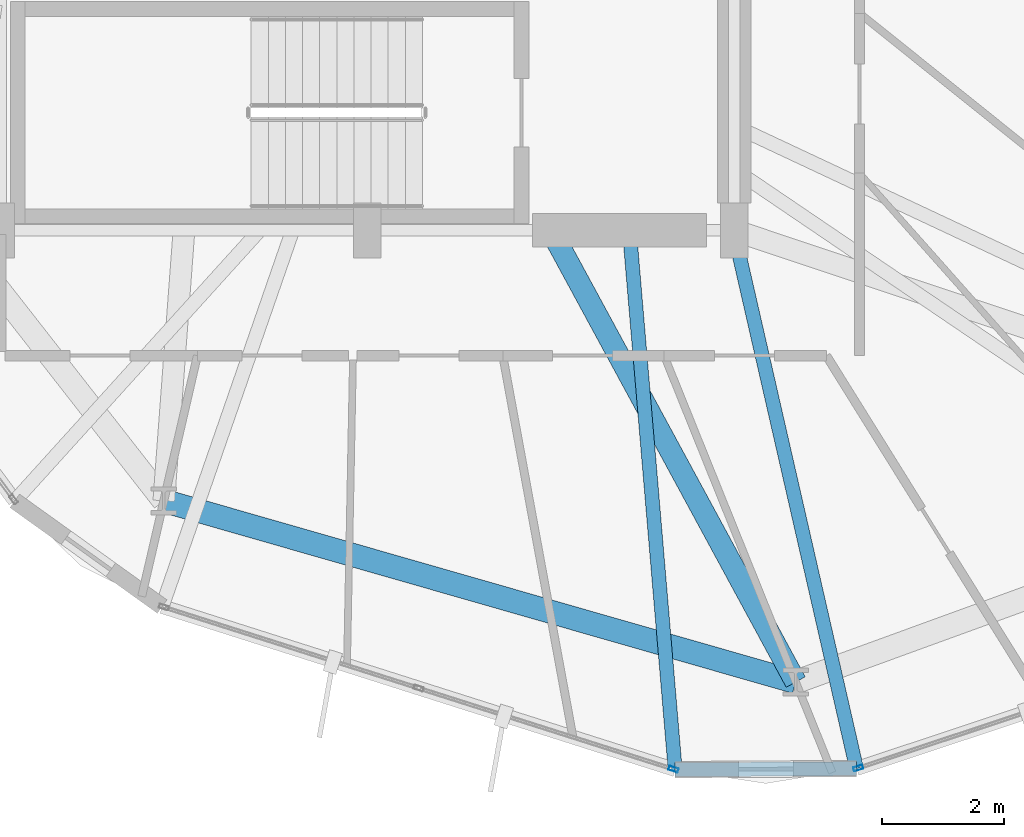
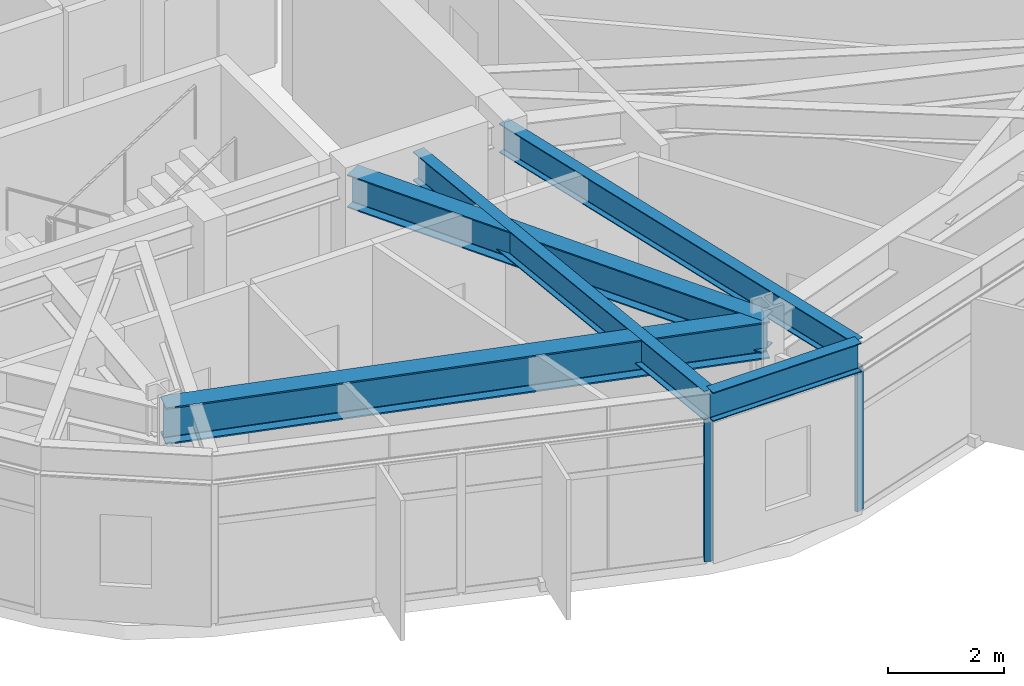
# One storey, part 5 of 27: 5 beams, 2 members, 2 elements without a shape of their own.
"""IFC4 building model written with IfcOpenShell, lengths in metres."""

import ifcopenshell
import ifcopenshell.guid

model = None  # the IFC model being written
_history = None  # IfcOwnerHistory: only IFC2X3 demands one
_inside = {}  # id of a spatial element -> (the spatial element, [elements in it])
_under = {}  # id of a project, library or spatial element -> (it, [spatial elements below it])
_declared = {}  # id of a project -> (the project, [libraries it declares])
_typed = {}  # id of a type object -> (the type object, [elements of that type])
_made_of = {}  # id of a material, layer set ... -> (it, [elements and type objects made of it])


def new_model(schema):
    """Start an empty IFC model of exactly this schema.

    Asked for "IFC4X3", IfcOpenShell would pick the latest addendum, in which some entities
    have other attributes; the version numbers below select the first issue.
    IFC2X3 requires an IfcOwnerHistory on every rooted entity: one is made here for all.
    """
    global model, _history
    if schema == "IFC4X3":
        model = ifcopenshell.file(schema_version=(4, 3, 0, 0))
    else:
        model = ifcopenshell.file(schema=schema)
    _inside.clear()
    _under.clear()
    _declared.clear()
    _typed.clear()
    _made_of.clear()
    _history = None
    if model.schema == "IFC2X3":
        org = make("IfcOrganization", Name="unknown")
        user = make(
            "IfcPersonAndOrganization",
            ThePerson=make("IfcPerson", FamilyName="unknown"),
            TheOrganization=org,
        )
        app = make(
            "IfcApplication",
            ApplicationDeveloper=org,
            Version="unknown",
            ApplicationFullName="unknown",
            ApplicationIdentifier="unknown",
        )
        _history = make(
            "IfcOwnerHistory",
            OwningUser=user,
            OwningApplication=app,
            ChangeAction="ADDED",
            CreationDate=0,
        )
    return model


def make(cls, **values):
    """One entity of the class cls with the attributes given. An attribute that is None is left unset."""
    return model.create_entity(
        cls, **{name: value for name, value in values.items() if value is not None}
    )


def rooted(cls, **values):
    """An entity with a GlobalId (a new one), such as an element, a storey or a relation."""
    return make(cls, GlobalId=ifcopenshell.guid.new(), OwnerHistory=_history, **values)


def si_unit(unit_type, name, prefix=None):
    """IfcSIUnit, for example si_unit("LENGTHUNIT", "METRE", prefix="MILLI")."""
    return make("IfcSIUnit", UnitType=unit_type, Prefix=prefix, Name=name)


def assignment(units):
    """IfcUnitAssignment: the units of a project."""
    return None if units is None else make("IfcUnitAssignment", Units=units)


def point(xyz):
    """IfcCartesianPoint."""
    return None if xyz is None else make("IfcCartesianPoint", Coordinates=xyz)


def direction(xyz):
    """IfcDirection."""
    return None if xyz is None else make("IfcDirection", DirectionRatios=xyz)


def frame(location, z_axis=None, x_axis=None):
    """IfcAxis2Placement3D, a coordinate frame: its origin and axes. An axis left out is left unset."""
    return make(
        "IfcAxis2Placement3D",
        Location=point(location),
        Axis=direction(z_axis),
        RefDirection=direction(x_axis),
    )


def frame_2d(location, x_axis=None):
    """IfcAxis2Placement2D, a coordinate frame in the plane: its origin and x axis."""
    return make(
        "IfcAxis2Placement2D", Location=point(location), RefDirection=direction(x_axis)
    )


def origin():
    """The frame at (0, 0, 0) with its axes left unset."""
    return frame((0.0, 0.0, 0.0))


def origin_2d():
    """The frame at (0, 0) in the plane with its x axis left unset."""
    return frame_2d((0.0, 0.0))


def place(relative_to, where):
    """IfcLocalPlacement: puts the frame where relative to a parent placement (None: the world)."""
    return make(
        "IfcLocalPlacement", PlacementRelTo=relative_to, RelativePlacement=where
    )


def context(
    kind, dimensions, precision=None, world=None, true_north=None, identifier=None
):
    """IfcGeometricRepresentationContext, for example the 3D "Model" context."""
    return make(
        "IfcGeometricRepresentationContext",
        ContextIdentifier=identifier,
        ContextType=kind,
        CoordinateSpaceDimension=dimensions,
        Precision=precision,
        WorldCoordinateSystem=world,
        TrueNorth=true_north,
    )


def subcontext(parent, identifier, kind, view, scale=None):
    """IfcGeometricRepresentationSubContext, for example "Body" below "Model"."""
    return make(
        "IfcGeometricRepresentationSubContext",
        ContextIdentifier=identifier,
        ContextType=kind,
        ParentContext=parent,
        TargetScale=scale,
        TargetView=view,
    )


def project(units=None, contexts=None):
    """IfcProject with its units and contexts."""
    return rooted(
        "IfcProject",
        Name="project",
        RepresentationContexts=contexts,
        UnitsInContext=assignment(units),
    )


def spatial(cls, under=None, at=None, **own):
    """A site, building, storey or space (cls), placed at a placement, below another one or the project."""
    s = rooted(cls, ObjectPlacement=at, **own)
    if under is not None:
        _under.setdefault(under.id(), (under, []))[1].append(s)
    return s


def profile(cls, at=None, kind="AREA", **sizes):
    """A parametric profile (cls). Its sizes go by their IFC names, for example OverallWidth=200.0."""
    return make(cls, ProfileType=kind, Position=at, **sizes)


def hollow_rectangle(**sizes):
    """IfcRectangleHollowProfileDef."""
    return profile("IfcRectangleHollowProfileDef", **sizes)


def i_section(**sizes):
    """IfcIShapeProfileDef."""
    return profile("IfcIShapeProfileDef", **sizes)


def extrude(swept, where, along, depth):
    """IfcExtrudedAreaSolid: the profile swept, set in the frame where, extruded along a direction by depth."""
    return make(
        "IfcExtrudedAreaSolid",
        SweptArea=swept,
        Position=where,
        ExtrudedDirection=direction(along),
        Depth=depth,
    )


def shape(context_of_items, identifier, shape_type, items):
    """IfcShapeRepresentation: the items that make up one representation, for example the "Body"."""
    return make(
        "IfcShapeRepresentation",
        ContextOfItems=context_of_items,
        RepresentationIdentifier=identifier,
        RepresentationType=shape_type,
        Items=items,
    )


def material(Name=None, Category=None):
    """IfcMaterial."""
    return make("IfcMaterial", Name=Name, Category=Category)


def layer(
    of_material, thickness, ventilated=None, Name=None, Category=None, Priority=None
):
    """IfcMaterialLayer: one layer of a wall or slab, of a material (None: an air gap)."""
    return make(
        "IfcMaterialLayer",
        Material=of_material,
        LayerThickness=thickness,
        IsVentilated=ventilated,
        Name=Name,
        Category=Category,
        Priority=Priority,
    )


def layer_set(layers, Name=None):
    """IfcMaterialLayerSet."""
    return make("IfcMaterialLayerSet", MaterialLayers=layers, LayerSetName=Name)


def material_profile(
    of_material, cross_section, Name=None, Category=None, Priority=None
):
    """IfcMaterialProfile: a cross section and its material."""
    return make(
        "IfcMaterialProfile",
        Name=Name,
        Material=of_material,
        Profile=cross_section,
        Priority=Priority,
        Category=Category,
    )


def profile_set(profiles, Name=None, composite=None):
    """IfcMaterialProfileSet."""
    return make(
        "IfcMaterialProfileSet",
        Name=Name,
        MaterialProfiles=profiles,
        CompositeProfile=composite,
    )


def made_of(thing, what):
    """Note that an element or type object is made of a material, layer set ...; save() writes the relation."""
    if what is not None:
        _made_of.setdefault(what.id(), (what, []))[1].append(thing)
    return thing


def type_object(cls, material=None, **own):
    """A type object (cls), such as IfcWallType, which elements share."""
    return made_of(rooted(cls, **own), material)


def element(
    cls,
    number,
    at=None,
    inside=None,
    cuts=None,
    type_object=None,
    material=None,
    context=None,
    identifier="Body",
    shape_type=None,
    held_by="IfcProductDefinitionShape",
    body=None,
    shapes=None,
    **own,
):
    """One element of the class cls, such as IfcWall. Its Tag is "e" and its number.

    at: its placement. inside: the storey or other place that contains it. cuts: it is an
    opening in that element (IfcRelVoidsElement). A single representation is given by context,
    identifier, shape_type and body (its items); several are given by shapes. held_by: the class
    of the entity that holds the representations. save() writes the other relations.
    """
    e = rooted(cls, Tag="e%d" % number, ObjectPlacement=at, **own)
    if body is not None:
        shapes = [shape(context, identifier, shape_type, body)]
    if shapes is not None:
        e.Representation = make(held_by, Representations=shapes)
    if inside is not None:
        _inside.setdefault(inside.id(), (inside, []))[1].append(e)
    if cuts is not None:
        rooted(
            "IfcRelVoidsElement", RelatingBuildingElement=cuts, RelatedOpeningElement=e
        )
    if type_object is not None:
        _typed.setdefault(type_object.id(), (type_object, []))[1].append(e)
    return made_of(e, material)


def aggregate(whole, parts):
    """IfcRelAggregates: a whole, such as a stair, and the parts it consists of."""
    return rooted("IfcRelAggregates", RelatingObject=whole, RelatedObjects=parts)


def save(model, path):
    """Write the relations noted so far, then the file.

    IfcRelAggregates (storeys below a building ...), IfcRelContainedInSpatialStructure (elements
    in a storey), IfcRelDefinesByType, IfcRelAssociatesMaterial and IfcRelDeclares: one each for
    every whole, place, type object, material and project.
    """
    for whole, parts in _under.values():
        aggregate(whole, parts)
    for where, things in _inside.values():
        rooted(
            "IfcRelContainedInSpatialStructure",
            RelatedElements=things,
            RelatingStructure=where,
        )
    for kind, things in _typed.values():
        rooted("IfcRelDefinesByType", RelatedObjects=things, RelatingType=kind)
    for what, things in _made_of.values():
        rooted("IfcRelAssociatesMaterial", RelatedObjects=things, RelatingMaterial=what)
    for by, libraries in _declared.values():
        rooted("IfcRelDeclares", RelatingContext=by, RelatedDefinitions=libraries)
    model.write(path)


model = new_model("IFC4")

# Units and contexts
model_context = context("Model", 3, precision=1e-05, world=origin(), true_north=direction((0.0, 1.0)))
body_context = subcontext(model_context, "Body", "Model", "MODEL_VIEW")
ifc_project = project(units=[si_unit("LENGTHUNIT", "METRE"), si_unit("AREAUNIT", "SQUARE_METRE"), si_unit("VOLUMEUNIT", "CUBIC_METRE"), si_unit("PLANEANGLEUNIT", "RADIAN"), si_unit("MASSUNIT", "GRAM", prefix="KILO")], contexts=[model_context])

# Site, building, storey
site_placement = place(None, origin())
site = spatial("IfcSite", under=ifc_project, at=site_placement, CompositionType="ELEMENT")
building_placement = place(site_placement, origin())
building = spatial("IfcBuilding", under=site, at=building_placement, Name="Soratama Intermodal Tower", CompositionType="ELEMENT")
storey_placement = place(building_placement, frame((0.0, 0.0, 99.10009765625)))
storey = spatial("IfcBuildingStorey", under=building, at=storey_placement, Name="L23", CompositionType="ELEMENT", Elevation=99.10009765625)

# Beams
ifc_material_1 = material(Name="Structural steel ASTM A992 Grade 50", Category="steel")
ifc_material_profile_1 = material_profile(ifc_material_1, i_section(OverallWidth=0.35498046875, OverallDepth=0.695068359375, WebThickness=0.015380859375, FlangeThickness=0.02490234375, FilletRadius=0.01611328125, at=origin_2d()), Name="W27X146")
ifc_profile_set_1 = profile_set([ifc_material_profile_1], Name="Structural steel ASTM A992 Grade 50")
beam_type_1 = type_object("IfcBeamType", Name="BM-RING-W27X146", PredefinedType="BEAM", material=ifc_profile_set_1)
beam_1_placement = place(storey_placement, frame((41.60009765625, 15.0, 3.25244140625), z_axis=(0.476697610532, -0.879067339919, 0.0), x_axis=(0.879067339919, 0.476697610532, 0.0)))
element("IfcBeam", 1, at=beam_1_placement, inside=storey, type_object=beam_type_1, Name="BM-L23-RAD-08", PredefinedType="BEAM", context=body_context, shape_type="SweptSolid", body=[
    extrude(i_section(OverallWidth=0.35498046875, OverallDepth=0.695068359375, WebThickness=0.015380859375, FlangeThickness=0.02490234375, FilletRadius=0.01611328125, at=origin_2d()), origin(), (0.0, 0.0, 1.0), 8.405517578125),
])
ifc_material_2 = material(Name="Structural steel ASTM A992 Grade 50", Category="steel")
ifc_material_profile_2 = material_profile(ifc_material_2, i_section(OverallWidth=0.382080078125, OverallDepth=0.779052734375, WebThickness=0.01806640625, FlangeThickness=0.030029296875, FilletRadius=0.01806640625, at=origin_2d()), Name="W30X191")
ifc_profile_set_2 = profile_set([ifc_material_profile_2], Name="Structural steel ASTM A992 Grade 50")
beam_type_2 = type_object("IfcBeamType", Name="BM-RING-W30X191", PredefinedType="BEAM", material=ifc_profile_set_2)
beam_2_placement = place(storey_placement, frame((35.27001953125, 10.574951171875, 3.21044921875), z_axis=(0.961266505995, -0.275620580604, 0.0), x_axis=(0.275620580604, 0.961266505995, 0.0)))
element("IfcBeam", 2, at=beam_2_placement, inside=storey, type_object=beam_type_2, Name="BM-L23-RING-07", PredefinedType="BEAM", context=body_context, shape_type="SweptSolid", body=[
    extrude(i_section(OverallWidth=0.382080078125, OverallDepth=0.779052734375, WebThickness=0.01806640625, FlangeThickness=0.030029296875, FilletRadius=0.01806640625, at=origin_2d()), origin(), (0.0, 0.0, 1.0), 10.75341796875),
])
ifc_material_3 = material(Name="Structural steel ASTM A992 Grade 50", Category="steel")
ifc_material_profile_3 = material_profile(ifc_material_3, i_section(OverallWidth=0.22900390625, OverallDepth=0.612060546875, WebThickness=0.011962890625, FlangeThickness=0.01953125, FilletRadius=0.012939453125, at=origin_2d()), Name="W24X84")
ifc_profile_set_3 = profile_set([ifc_material_profile_3], Name="Structural steel ASTM A992 Grade 50")
beam_type_3 = type_object("IfcBeamType", Name="BM-SPN-W24X84", PredefinedType="SPANDREL", material=ifc_profile_set_3)
beam_3_placement = place(storey_placement, frame((43.635009765625, 6.177001953125, 3.2939453125), z_axis=(0.999981462363, 0.006088918639, 0.0), x_axis=(-0.006088918639, 0.999981462363, 0.0)))
element("IfcBeam", 3, at=beam_3_placement, inside=storey, type_object=beam_type_3, Name="BS-L23-CRN07", PredefinedType="SPANDREL", context=body_context, shape_type="SweptSolid", body=[
    extrude(i_section(OverallWidth=0.22900390625, OverallDepth=0.612060546875, WebThickness=0.011962890625, FlangeThickness=0.01953125, FilletRadius=0.012939453125, at=origin_2d()), origin(), (0.0, 0.0, 1.0), 2.967041015625),
])
ifc_material_4 = material(Name="Structural steel ASTM A992 Grade 50", Category="steel")
ifc_material_profile_4 = material_profile(ifc_material_4, i_section(OverallWidth=0.22900390625, OverallDepth=0.612060546875, WebThickness=0.011962890625, FlangeThickness=0.01953125, FilletRadius=0.012939453125, at=origin_2d()), Name="W24X84")
ifc_profile_set_4 = profile_set([ifc_material_profile_4], Name="Structural steel ASTM A992 Grade 50")
beam_type_4 = type_object("IfcBeamType", Name="BM-TIE-W24X84", PredefinedType="BEAM", material=ifc_profile_set_4)
beam_4_placement = place(storey_placement, frame((42.888916015625, 14.9599609375, 3.2939453125), z_axis=(0.084643031359, -0.996411339379, 0.0), x_axis=(0.996411339379, 0.084643031359, 0.0)))
element("IfcBeam", 4, at=beam_4_placement, inside=storey, type_object=beam_type_4, Name="BM-L23-TIE1-07", PredefinedType="BEAM", context=body_context, shape_type="SweptSolid", body=[
    extrude(i_section(OverallWidth=0.22900390625, OverallDepth=0.612060546875, WebThickness=0.011962890625, FlangeThickness=0.01953125, FilletRadius=0.012939453125, at=origin_2d()), origin(), (0.0, 0.0, 1.0), 8.814697265625),
])
beam_5_placement = place(storey_placement, frame((44.59912109375, 14.9609375, 3.2939453125), z_axis=(0.222751076798, -0.974875355, 0.0), x_axis=(0.974875355, 0.222751076798, 0.0)))
element("IfcBeam", 5, at=beam_5_placement, inside=storey, type_object=beam_type_4, Name="BM-L23-TIE0-08", PredefinedType="BEAM", context=body_context, shape_type="SweptSolid", body=[
    extrude(i_section(OverallWidth=0.22900390625, OverallDepth=0.612060546875, WebThickness=0.011962890625, FlangeThickness=0.01953125, FilletRadius=0.012939453125, at=origin_2d()), origin(), (0.0, 0.0, 1.0), 8.99169921875),
])

# Curtain wall, member
ifc_material_5 = material(Name="Double-glazed aluminium curtain wall", Category="aluminium")
ifc_layer = layer(ifc_material_5, 0.159912109375)
ifc_layer_set = layer_set([ifc_layer], Name="Double-glazed aluminium curtain wall")
curtain_wall_type = type_object("IfcCurtainWallType", Name="CW-SYS-3", PredefinedType="NOTDEFINED", material=ifc_layer_set)
curtain_wall_1_placement = place(storey_placement, origin())
curtain_wall_1 = element("IfcCurtainWall", 6, at=curtain_wall_1_placement, inside=storey, type_object=curtain_wall_type, Name="L23 Faceted Curtain Wall F07", PredefinedType="NOTDEFINED")
ifc_material_6 = material(Name="Anodised aluminium AA 6063-T6", Category="aluminium")
ifc_material_profile_5 = material_profile(ifc_material_6, hollow_rectangle(XDim=0.070068359375, YDim=0.159912109375, WallThickness=0.0048828125, InnerFilletRadius=0.0048828125, OuterFilletRadius=0.010009765625, at=origin_2d()), Name="CWM160X70X5")
ifc_profile_set_5 = profile_set([ifc_material_profile_5], Name="Anodised aluminium AA 6063-T6")
member_type = type_object("IfcMemberType", Name="MT-CWM-3", PredefinedType="MULLION", material=ifc_profile_set_5)
member_1_placement = place(storey_placement, frame((43.6064453125, 6.185791015625, 0.0), z_axis=(0.0, 0.0, 1.0), x_axis=(0.303034454617, 0.952979600681, 0.0)))
member_1 = element("IfcMember", 7, at=member_1_placement, type_object=member_type, Name="CW-3 mullion 3", PredefinedType="MULLION", context=body_context, shape_type="SweptSolid", body=[
    extrude(hollow_rectangle(XDim=0.070068359375, YDim=0.159912109375, WallThickness=0.0048828125, InnerFilletRadius=0.0048828125, OuterFilletRadius=0.010009765625, at=origin_2d()), origin(), (0.0, 0.0, 1.0), 2.97900390625),
])
aggregate(curtain_wall_1, [member_1])

curtain_wall_2_placement = place(storey_placement, origin())
curtain_wall_2 = element("IfcCurtainWall", 8, at=curtain_wall_2_placement, inside=storey, type_object=curtain_wall_type, Name="L23 Faceted Curtain Wall F08", PredefinedType="NOTDEFINED")
member_2_placement = place(storey_placement, frame((46.6298828125, 6.204833984375, 0.0), z_axis=(0.0, 0.0, 1.0), x_axis=(-0.314994319934, 0.949093556194, 0.0)))
member_2 = element("IfcMember", 9, at=member_2_placement, type_object=member_type, Name="CW-3 mullion 1", PredefinedType="MULLION", context=body_context, shape_type="SweptSolid", body=[
    extrude(hollow_rectangle(XDim=0.070068359375, YDim=0.159912109375, WallThickness=0.0048828125, InnerFilletRadius=0.0048828125, OuterFilletRadius=0.010009765625, at=origin_2d()), origin(), (0.0, 0.0, 1.0), 2.97900390625),
])
aggregate(curtain_wall_2, [member_2])

save(model, "model.ifc")
